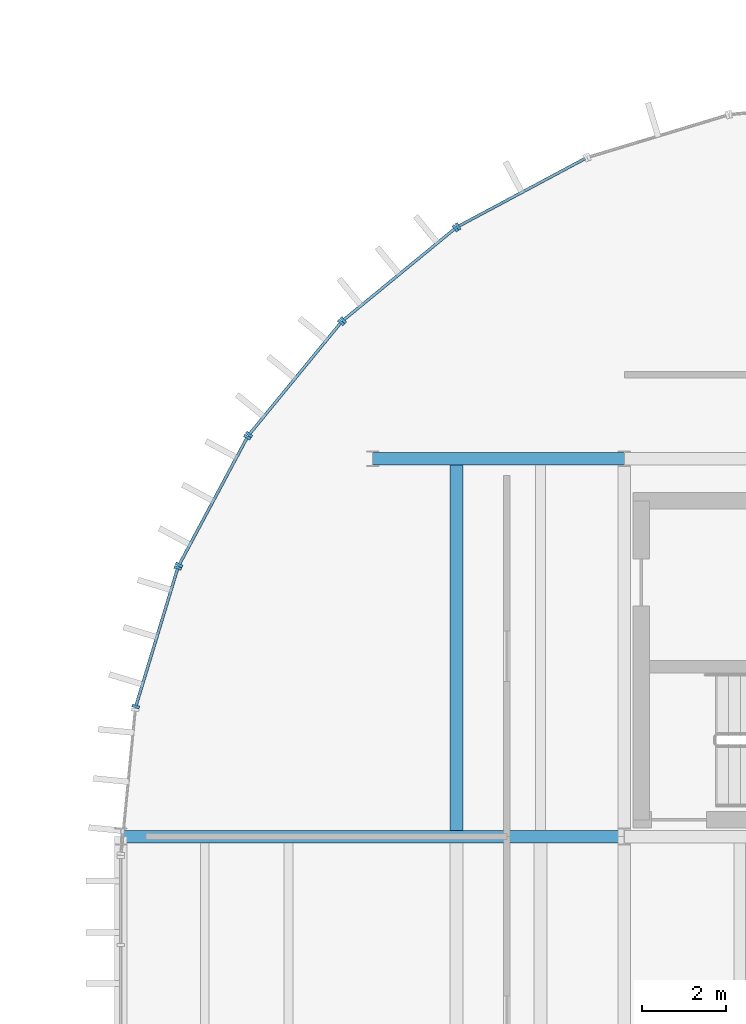
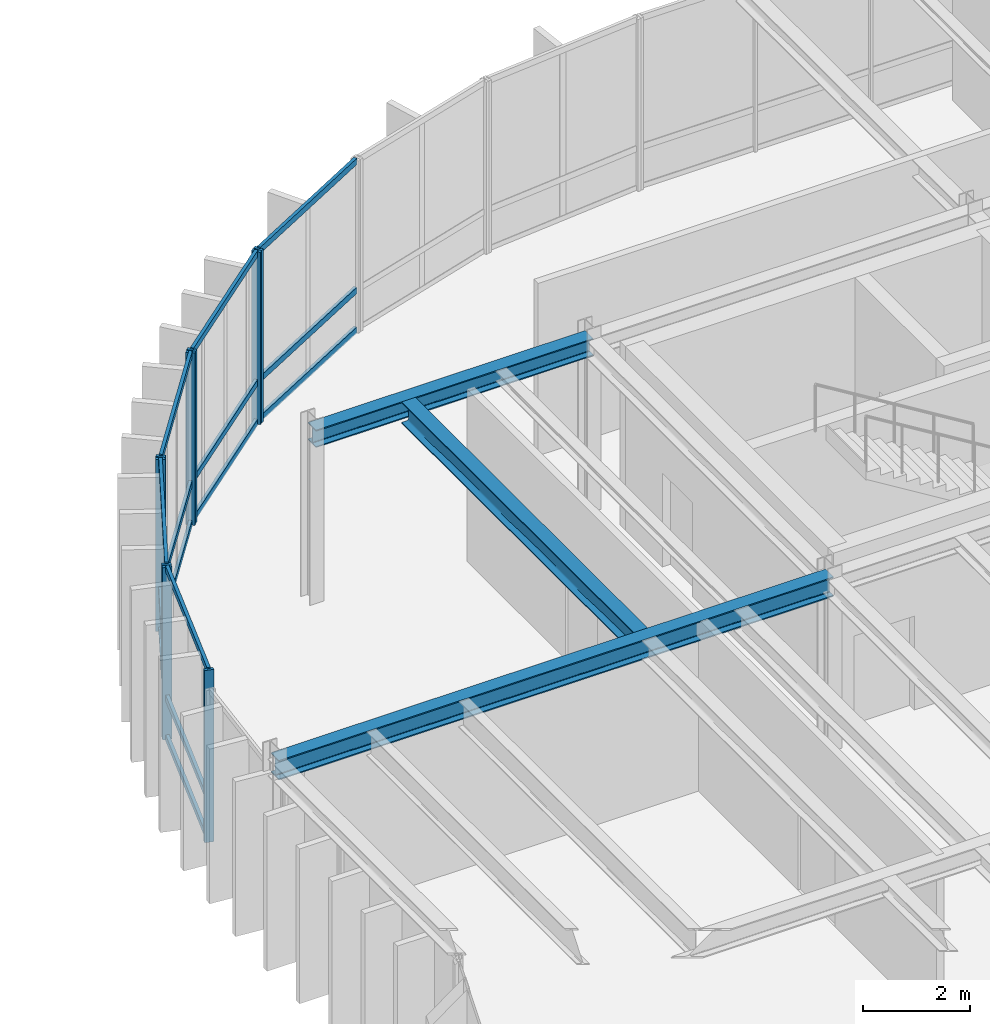
# One storey, part 7 of 31: 24 members, 3 beams, 5 elements without a shape of their own.
"""IFC4 building model written with IfcOpenShell, lengths in metres."""

from ifc_helpers import new_model, si_unit, direction, frame, origin, origin_2d, place, context, subcontext, project, spatial, rectangle, i_section, extrude, material, layer, layer_set, material_profile, profile_set, type_object, element, aggregate, save


model = new_model("IFC4")

# Units and contexts
model_context = context("Model", 3, precision=1e-05, world=origin(), true_north=direction((0.0, 1.0)))
body_context = subcontext(model_context, "Body", "Model", "MODEL_VIEW")
ifc_project = project(units=[si_unit("LENGTHUNIT", "METRE"), si_unit("AREAUNIT", "SQUARE_METRE"), si_unit("VOLUMEUNIT", "CUBIC_METRE"), si_unit("PLANEANGLEUNIT", "RADIAN"), si_unit("MASSUNIT", "GRAM", prefix="KILO")], contexts=[model_context])

# Site, building, storey
site_placement = place(None, origin())
site = spatial("IfcSite", under=ifc_project, at=site_placement, CompositionType="ELEMENT")
building_placement = place(site_placement, origin())
building = spatial("IfcBuilding", under=site, at=building_placement, Name="Montealbar Specialist Clinic", CompositionType="ELEMENT")
storey_placement = place(building_placement, frame((0.0, 0.0, 13.800048828125)))
storey = spatial("IfcBuildingStorey", under=building, at=storey_placement, Name="L03", CompositionType="ELEMENT", Elevation=13.800048828125)

# Beams
ifc_material_1 = material(Name="Steel S355", Category="steel")
ifc_material_profile_1 = material_profile(ifc_material_1, i_section(OverallWidth=0.300048828125, OverallDepth=0.39990234375, WebThickness=0.013427734375, FlangeThickness=0.02392578125, FilletRadius=0.027099609375, at=origin_2d()), Name="HEB 400", Category="steel")
ifc_profile_set_1 = profile_set([ifc_material_profile_1], Name="Steel S355")
beam_type_1 = type_object("IfcBeamType", Name="BM-GIRD-HEB400", PredefinedType="BEAM", material=ifc_profile_set_1)
beam_1_placement = place(storey_placement, frame((60.0, 36.0, 3.739990234375), z_axis=(1.0, 0.0, 0.0), x_axis=(0.0, 1.0, 0.0)))
element("IfcBeam", 1, at=beam_1_placement, inside=storey, type_object=beam_type_1, Name="Beam GX-L03-600-660-360", PredefinedType="BEAM", context=body_context, shape_type="SweptSolid", body=[
    extrude(i_section(OverallWidth=0.300048828125, OverallDepth=0.39990234375, WebThickness=0.013427734375, FlangeThickness=0.02392578125, FilletRadius=0.027099609375, at=origin_2d()), origin(), (0.0, 0.0, 1.0), 6.0),
])
ifc_material_profile_2 = material_profile(ifc_material_1, i_section(OverallWidth=0.300048828125, OverallDepth=0.449951171875, WebThickness=0.013916015625, FlangeThickness=0.02587890625, FilletRadius=0.027099609375, at=origin_2d()), Name="HEB 450", Category="steel")
ifc_profile_set_2 = profile_set([ifc_material_profile_2], Name="Steel S355")
beam_type_2 = type_object("IfcBeamType", Name="BM-GIRD-HEB450", PredefinedType="BEAM", material=ifc_profile_set_2)
beam_2_placement = place(storey_placement, frame((54.0, 27.0, 3.71484375), z_axis=(1.0, 0.0, 0.0), x_axis=(0.0, 1.0, 0.0)))
element("IfcBeam", 2, at=beam_2_placement, inside=storey, type_object=beam_type_2, Name="Beam GX-L03-540-660-270", PredefinedType="BEAM", context=body_context, shape_type="SweptSolid", body=[
    extrude(i_section(OverallWidth=0.300048828125, OverallDepth=0.449951171875, WebThickness=0.013916015625, FlangeThickness=0.02587890625, FilletRadius=0.027099609375, at=origin_2d()), origin(), (0.0, 0.0, 1.0), 12.0),
])
ifc_material_profile_3 = material_profile(ifc_material_1, i_section(OverallWidth=0.300048828125, OverallDepth=0.489990234375, WebThickness=0.011962890625, FlangeThickness=0.02294921875, FilletRadius=0.027099609375, at=origin_2d()), Name="HEA 500", Category="steel")
ifc_profile_set_3 = profile_set([ifc_material_profile_3], Name="Steel S355")
beam_type_3 = type_object("IfcBeamType", Name="BM-JST-HEA500", PredefinedType="JOIST", material=ifc_profile_set_3)
beam_3_placement = place(storey_placement, frame((62.0, 27.14990234375, 3.695068359375), z_axis=(0.0, 1.0, 0.0), x_axis=(-1.0, 0.0, 0.0)))
element("IfcBeam", 3, at=beam_3_placement, inside=storey, type_object=beam_type_3, Name="Beam JST-L03-620-272-358", PredefinedType="JOIST", context=body_context, shape_type="SweptSolid", body=[
    extrude(i_section(OverallWidth=0.300048828125, OverallDepth=0.489990234375, WebThickness=0.011962890625, FlangeThickness=0.02294921875, FilletRadius=0.027099609375, at=origin_2d()), origin(), (0.0, 0.0, 1.0), 8.7001953125),
])

# Curtain wall, members
ifc_material_2 = material(Name="Low-E double glazing", Category="glass")
ifc_layer = layer(ifc_material_2, 0.199951171875, Name="Low-E double glazing", Category="glass")
ifc_layer_set = layer_set([ifc_layer], Name="Low-E double glazing")
curtain_wall_type = type_object("IfcCurtainWallType", Name="CW-TYPE-19", PredefinedType="NOTDEFINED", material=ifc_layer_set)
curtain_wall_1_placement = place(storey_placement, origin())
curtain_wall_1 = element("IfcCurtainWall", 4, at=curtain_wall_1_placement, inside=storey, type_object=curtain_wall_type, Name="Unitised Curtain Wall CW-L03-543-301-554-334-138", PredefinedType="NOTDEFINED")
ifc_material_3 = material(Name="Anodised aluminium EN AW-6063", Category="aluminium")
ifc_material_profile_4 = material_profile(ifc_material_3, rectangle(XDim=0.070068359375, YDim=0.179931640625, at=origin_2d()), Name="ALU 70x180", Category="aluminium")
ifc_profile_set_4 = profile_set([ifc_material_profile_4], Name="Anodised aluminium EN AW-6063")
member_type_1 = type_object("IfcMemberType", Name="CW-MUL-200", PredefinedType="MULLION", material=ifc_profile_set_4)
member_1_placement = place(storey_placement, frame((54.35791015625, 30.10009765625, 0.0), z_axis=(0.0, 0.0, 1.0), x_axis=(0.290259134399, 0.956948083701, 0.0)))
member_1 = element("IfcMember", 5, at=member_1_placement, type_object=member_type_1, Name="Curtain Wall Mullion CW-L03-543-301-554-334-138-00", PredefinedType="MULLION", context=body_context, shape_type="SweptSolid", body=[
    extrude(rectangle(XDim=0.070068359375, YDim=0.179931640625, at=origin_2d()), origin(), (0.0, 0.0, 1.0), 3.93994140625),
])
member_2_placement = place(storey_placement, frame((55.35791015625, 33.39990234375, 0.0), z_axis=(0.0, 0.0, 1.0), x_axis=(0.290259134399, 0.956948083701, 0.0)))
member_2 = element("IfcMember", 6, at=member_2_placement, type_object=member_type_1, Name="Curtain Wall Mullion CW-L03-543-301-554-334-138-01", PredefinedType="MULLION", context=body_context, shape_type="SweptSolid", body=[
    extrude(rectangle(XDim=0.070068359375, YDim=0.179931640625, at=origin_2d()), origin(), (0.0, 0.0, 1.0), 3.93994140625),
])

curtain_wall_2_placement = place(storey_placement, origin())
curtain_wall_2 = element("IfcCurtainWall", 7, at=curtain_wall_2_placement, inside=storey, type_object=curtain_wall_type, Name="Unitised Curtain Wall CW-L03-554-334-570-366-138", PredefinedType="NOTDEFINED")
member_3_placement = place(storey_placement, frame((55.388916015625, 33.472900390625, 0.0), z_axis=(0.0, 0.0, 1.0), x_axis=(0.471529268958, 0.881850411644, 0.0)))
member_3 = element("IfcMember", 8, at=member_3_placement, type_object=member_type_1, Name="Curtain Wall Mullion CW-L03-554-334-570-366-138-00", PredefinedType="MULLION", context=body_context, shape_type="SweptSolid", body=[
    extrude(rectangle(XDim=0.070068359375, YDim=0.179931640625, at=origin_2d()), origin(), (0.0, 0.0, 1.0), 3.93994140625),
])
member_4_placement = place(storey_placement, frame((57.014892578125, 36.514892578125, 0.0), z_axis=(0.0, 0.0, 1.0), x_axis=(0.471529268958, 0.881850411644, 0.0)))
member_4 = element("IfcMember", 9, at=member_4_placement, type_object=member_type_1, Name="Curtain Wall Mullion CW-L03-554-334-570-366-138-01", PredefinedType="MULLION", context=body_context, shape_type="SweptSolid", body=[
    extrude(rectangle(XDim=0.070068359375, YDim=0.179931640625, at=origin_2d()), origin(), (0.0, 0.0, 1.0), 3.93994140625),
])

curtain_wall_3_placement = place(storey_placement, origin())
curtain_wall_3 = element("IfcCurtainWall", 10, at=curtain_wall_3_placement, inside=storey, type_object=curtain_wall_type, Name="Unitised Curtain Wall CW-L03-570-366-593-393-138", PredefinedType="NOTDEFINED")
member_5_placement = place(storey_placement, frame((57.05908203125, 36.5810546875, 0.0), z_axis=(0.0, 0.0, 1.0), x_axis=(0.634255808922, 0.773123255923, 0.0)))
member_5 = element("IfcMember", 11, at=member_5_placement, type_object=member_type_1, Name="Curtain Wall Mullion CW-L03-570-366-593-393-138-00", PredefinedType="MULLION", context=body_context, shape_type="SweptSolid", body=[
    extrude(rectangle(XDim=0.070068359375, YDim=0.179931640625, at=origin_2d()), origin(), (0.0, 0.0, 1.0), 3.93994140625),
])
member_6_placement = place(storey_placement, frame((59.2470703125, 39.2470703125, 0.0), z_axis=(0.0, 0.0, 1.0), x_axis=(0.634255808922, 0.773123255923, 0.0)))
member_6 = element("IfcMember", 12, at=member_6_placement, type_object=member_type_1, Name="Curtain Wall Mullion CW-L03-570-366-593-393-138-01", PredefinedType="MULLION", context=body_context, shape_type="SweptSolid", body=[
    extrude(rectangle(XDim=0.070068359375, YDim=0.179931640625, at=origin_2d()), origin(), (0.0, 0.0, 1.0), 3.93994140625),
])

curtain_wall_4_placement = place(storey_placement, origin())
curtain_wall_4 = element("IfcCurtainWall", 13, at=curtain_wall_4_placement, inside=storey, type_object=curtain_wall_type, Name="Unitised Curtain Wall CW-L03-593-393-620-415-138", PredefinedType="NOTDEFINED")
member_7_placement = place(storey_placement, frame((59.302978515625, 39.302978515625, 0.0), z_axis=(0.0, 0.0, 1.0), x_axis=(0.773123255923, 0.634255808922, 0.0)))
member_7 = element("IfcMember", 14, at=member_7_placement, type_object=member_type_1, Name="Curtain Wall Mullion CW-L03-593-393-620-415-138-00", PredefinedType="MULLION", context=body_context, shape_type="SweptSolid", body=[
    extrude(rectangle(XDim=0.070068359375, YDim=0.179931640625, at=origin_2d()), origin(), (0.0, 0.0, 1.0), 3.93994140625),
])
member_8_placement = place(storey_placement, frame((61.968994140625, 41.490966796875, 0.0), z_axis=(0.0, 0.0, 1.0), x_axis=(0.773123255923, 0.634255808922, 0.0)))
member_8 = element("IfcMember", 15, at=member_8_placement, type_object=member_type_1, Name="Curtain Wall Mullion CW-L03-593-393-620-415-138-01", PredefinedType="MULLION", context=body_context, shape_type="SweptSolid", body=[
    extrude(rectangle(XDim=0.070068359375, YDim=0.179931640625, at=origin_2d()), origin(), (0.0, 0.0, 1.0), 3.93994140625),
])

# Curtain wall, member
curtain_wall_5_placement = place(storey_placement, origin())
curtain_wall_5 = element("IfcCurtainWall", 16, at=curtain_wall_5_placement, inside=storey, type_object=curtain_wall_type, Name="Unitised Curtain Wall CW-L03-620-415-651-432-138", PredefinedType="NOTDEFINED")
member_9_placement = place(storey_placement, frame((62.034912109375, 41.534912109375, 0.0), z_axis=(0.0, 0.0, 1.0), x_axis=(0.881850411644, 0.471529268958, 0.0)))
member_9 = element("IfcMember", 17, at=member_9_placement, type_object=member_type_1, Name="Curtain Wall Mullion CW-L03-620-415-651-432-138-00", PredefinedType="MULLION", context=body_context, shape_type="SweptSolid", body=[
    extrude(rectangle(XDim=0.070068359375, YDim=0.179931640625, at=origin_2d()), origin(), (0.0, 0.0, 1.0), 3.93994140625),
])

# Member
ifc_material_4 = material(Name="Powder-coated aluminium", Category="aluminium")
ifc_material_profile_5 = material_profile(ifc_material_4, rectangle(XDim=0.070068359375, YDim=0.139892578125, at=origin_2d()), Name="ALU 70x140", Category="aluminium")
ifc_profile_set_5 = profile_set([ifc_material_profile_5], Name="Powder-coated aluminium")
member_type_2 = type_object("IfcMemberType", Name="CW-TRN-140", PredefinedType="USERDEFINED", material=ifc_profile_set_5)
member_10_placement = place(storey_placement, frame((54.361083984375, 30.110107421875, 0.0400390625), z_axis=(0.290013326855, 0.957022606967, 0.0), x_axis=(-0.957022606967, 0.290013326855, 0.0)))
member_10 = element("IfcMember", 18, at=member_10_placement, type_object=member_type_2, Name="Curtain Wall Transom CW-L03-543-301-554-334-138-00", ObjectType="TRANSOM", PredefinedType="USERDEFINED", context=body_context, shape_type="SweptSolid", body=[
    extrude(rectangle(XDim=0.070068359375, YDim=0.139892578125, at=origin_2d()), origin(), (0.0, 0.0, 1.0), 3.427001953125),
])

member_11_placement = place(storey_placement, frame((54.361083984375, 30.110107421875, 0.949951171875), z_axis=(0.290013326855, 0.957022606967, 0.0), x_axis=(-0.957022606967, 0.290013326855, 0.0)))
member_11 = element("IfcMember", 19, at=member_11_placement, type_object=member_type_2, Name="Curtain Wall Transom CW-L03-543-301-554-334-138-01", ObjectType="TRANSOM", PredefinedType="USERDEFINED", context=body_context, shape_type="SweptSolid", body=[
    extrude(rectangle(XDim=0.070068359375, YDim=0.139892578125, at=origin_2d()), origin(), (0.0, 0.0, 1.0), 3.427001953125),
])

member_12_placement = place(storey_placement, frame((54.361083984375, 30.110107421875, 3.89990234375), z_axis=(0.290013326855, 0.957022606967, 0.0), x_axis=(-0.957022606967, 0.290013326855, 0.0)))
member_12 = element("IfcMember", 20, at=member_12_placement, type_object=member_type_2, Name="Curtain Wall Transom CW-L03-543-301-554-334-138-02", ObjectType="TRANSOM", PredefinedType="USERDEFINED", context=body_context, shape_type="SweptSolid", body=[
    extrude(rectangle(XDim=0.070068359375, YDim=0.139892578125, at=origin_2d()), origin(), (0.0, 0.0, 1.0), 3.427001953125),
])

aggregate(curtain_wall_1, [member_1, member_2, member_10, member_11, member_12])

member_13_placement = place(storey_placement, frame((55.39404296875, 33.48193359375, 0.0400390625), z_axis=(0.471286558069, 0.881980147273, 0.0), x_axis=(-0.881980147273, 0.471286558069, 0.0)))
member_13 = element("IfcMember", 21, at=member_13_placement, type_object=member_type_2, Name="Curtain Wall Transom CW-L03-554-334-570-366-138-00", ObjectType="TRANSOM", PredefinedType="USERDEFINED", context=body_context, shape_type="SweptSolid", body=[
    extrude(rectangle(XDim=0.070068359375, YDim=0.139892578125, at=origin_2d()), origin(), (0.0, 0.0, 1.0), 3.428955078125),
])

member_14_placement = place(storey_placement, frame((55.39404296875, 33.48193359375, 0.949951171875), z_axis=(0.471286558069, 0.881980147273, 0.0), x_axis=(-0.881980147273, 0.471286558069, 0.0)))
member_14 = element("IfcMember", 22, at=member_14_placement, type_object=member_type_2, Name="Curtain Wall Transom CW-L03-554-334-570-366-138-01", ObjectType="TRANSOM", PredefinedType="USERDEFINED", context=body_context, shape_type="SweptSolid", body=[
    extrude(rectangle(XDim=0.070068359375, YDim=0.139892578125, at=origin_2d()), origin(), (0.0, 0.0, 1.0), 3.428955078125),
])

member_15_placement = place(storey_placement, frame((55.39404296875, 33.48193359375, 3.89990234375), z_axis=(0.471286558069, 0.881980147273, 0.0), x_axis=(-0.881980147273, 0.471286558069, 0.0)))
member_15 = element("IfcMember", 23, at=member_15_placement, type_object=member_type_2, Name="Curtain Wall Transom CW-L03-554-334-570-366-138-02", ObjectType="TRANSOM", PredefinedType="USERDEFINED", context=body_context, shape_type="SweptSolid", body=[
    extrude(rectangle(XDim=0.070068359375, YDim=0.139892578125, at=origin_2d()), origin(), (0.0, 0.0, 1.0), 3.428955078125),
])

aggregate(curtain_wall_2, [member_3, member_4, member_13, member_14, member_15])

member_16_placement = place(storey_placement, frame((57.06591796875, 36.589111328125, 0.0400390625), z_axis=(0.634280591441, 0.773102924144, 0.0), x_axis=(-0.773102924144, 0.634280591441, 0.0)))
member_16 = element("IfcMember", 24, at=member_16_placement, type_object=member_type_2, Name="Curtain Wall Transom CW-L03-570-366-593-393-138-00", ObjectType="TRANSOM", PredefinedType="USERDEFINED", context=body_context, shape_type="SweptSolid", body=[
    extrude(rectangle(XDim=0.070068359375, YDim=0.139892578125, at=origin_2d()), origin(), (0.0, 0.0, 1.0), 3.427734375),
])

member_17_placement = place(storey_placement, frame((57.06591796875, 36.589111328125, 0.949951171875), z_axis=(0.634280591441, 0.773102924144, 0.0), x_axis=(-0.773102924144, 0.634280591441, 0.0)))
member_17 = element("IfcMember", 25, at=member_17_placement, type_object=member_type_2, Name="Curtain Wall Transom CW-L03-570-366-593-393-138-01", ObjectType="TRANSOM", PredefinedType="USERDEFINED", context=body_context, shape_type="SweptSolid", body=[
    extrude(rectangle(XDim=0.070068359375, YDim=0.139892578125, at=origin_2d()), origin(), (0.0, 0.0, 1.0), 3.427734375),
])

member_18_placement = place(storey_placement, frame((57.06591796875, 36.589111328125, 3.89990234375), z_axis=(0.634280591441, 0.773102924144, 0.0), x_axis=(-0.773102924144, 0.634280591441, 0.0)))
member_18 = element("IfcMember", 26, at=member_18_placement, type_object=member_type_2, Name="Curtain Wall Transom CW-L03-570-366-593-393-138-02", ObjectType="TRANSOM", PredefinedType="USERDEFINED", context=body_context, shape_type="SweptSolid", body=[
    extrude(rectangle(XDim=0.070068359375, YDim=0.139892578125, at=origin_2d()), origin(), (0.0, 0.0, 1.0), 3.427734375),
])

aggregate(curtain_wall_3, [member_5, member_6, member_16, member_17, member_18])

member_19_placement = place(storey_placement, frame((59.31103515625, 39.31005859375, 0.0400390625), z_axis=(0.773137851948, 0.634238016745, 0.0), x_axis=(-0.634238016745, 0.773137851948, 0.0)))
member_19 = element("IfcMember", 27, at=member_19_placement, type_object=member_type_2, Name="Curtain Wall Transom CW-L03-593-393-620-415-138-00", ObjectType="TRANSOM", PredefinedType="USERDEFINED", context=body_context, shape_type="SweptSolid", body=[
    extrude(rectangle(XDim=0.070068359375, YDim=0.139892578125, at=origin_2d()), origin(), (0.0, 0.0, 1.0), 3.427490234375),
])

member_20_placement = place(storey_placement, frame((59.31103515625, 39.31005859375, 0.949951171875), z_axis=(0.773137851948, 0.634238016745, 0.0), x_axis=(-0.634238016745, 0.773137851948, 0.0)))
member_20 = element("IfcMember", 28, at=member_20_placement, type_object=member_type_2, Name="Curtain Wall Transom CW-L03-593-393-620-415-138-01", ObjectType="TRANSOM", PredefinedType="USERDEFINED", context=body_context, shape_type="SweptSolid", body=[
    extrude(rectangle(XDim=0.070068359375, YDim=0.139892578125, at=origin_2d()), origin(), (0.0, 0.0, 1.0), 3.427490234375),
])

member_21_placement = place(storey_placement, frame((59.31103515625, 39.31005859375, 3.89990234375), z_axis=(0.773137851948, 0.634238016745, 0.0), x_axis=(-0.634238016745, 0.773137851948, 0.0)))
member_21 = element("IfcMember", 29, at=member_21_placement, type_object=member_type_2, Name="Curtain Wall Transom CW-L03-593-393-620-415-138-02", ObjectType="TRANSOM", PredefinedType="USERDEFINED", context=body_context, shape_type="SweptSolid", body=[
    extrude(rectangle(XDim=0.070068359375, YDim=0.139892578125, at=origin_2d()), origin(), (0.0, 0.0, 1.0), 3.427490234375),
])

aggregate(curtain_wall_4, [member_7, member_8, member_19, member_20, member_21])

member_22_placement = place(storey_placement, frame((62.0439453125, 41.5400390625, 0.0400390625), z_axis=(0.881980147273, 0.471286558069, 0.0), x_axis=(-0.471286558069, 0.881980147273, 0.0)))
member_22 = element("IfcMember", 30, at=member_22_placement, type_object=member_type_2, Name="Curtain Wall Transom CW-L03-620-415-651-432-138-00", ObjectType="TRANSOM", PredefinedType="USERDEFINED", context=body_context, shape_type="SweptSolid", body=[
    extrude(rectangle(XDim=0.070068359375, YDim=0.139892578125, at=origin_2d()), origin(), (0.0, 0.0, 1.0), 3.428955078125),
])

member_23_placement = place(storey_placement, frame((62.0439453125, 41.5400390625, 0.949951171875), z_axis=(0.881980147273, 0.471286558069, 0.0), x_axis=(-0.471286558069, 0.881980147273, 0.0)))
member_23 = element("IfcMember", 31, at=member_23_placement, type_object=member_type_2, Name="Curtain Wall Transom CW-L03-620-415-651-432-138-01", ObjectType="TRANSOM", PredefinedType="USERDEFINED", context=body_context, shape_type="SweptSolid", body=[
    extrude(rectangle(XDim=0.070068359375, YDim=0.139892578125, at=origin_2d()), origin(), (0.0, 0.0, 1.0), 3.428955078125),
])

member_24_placement = place(storey_placement, frame((62.0439453125, 41.5400390625, 3.89990234375), z_axis=(0.881980147273, 0.471286558069, 0.0), x_axis=(-0.471286558069, 0.881980147273, 0.0)))
member_24 = element("IfcMember", 32, at=member_24_placement, type_object=member_type_2, Name="Curtain Wall Transom CW-L03-620-415-651-432-138-02", ObjectType="TRANSOM", PredefinedType="USERDEFINED", context=body_context, shape_type="SweptSolid", body=[
    extrude(rectangle(XDim=0.070068359375, YDim=0.139892578125, at=origin_2d()), origin(), (0.0, 0.0, 1.0), 3.428955078125),
])

aggregate(curtain_wall_5, [member_9, member_22, member_23, member_24])

save(model, "model.ifc")
